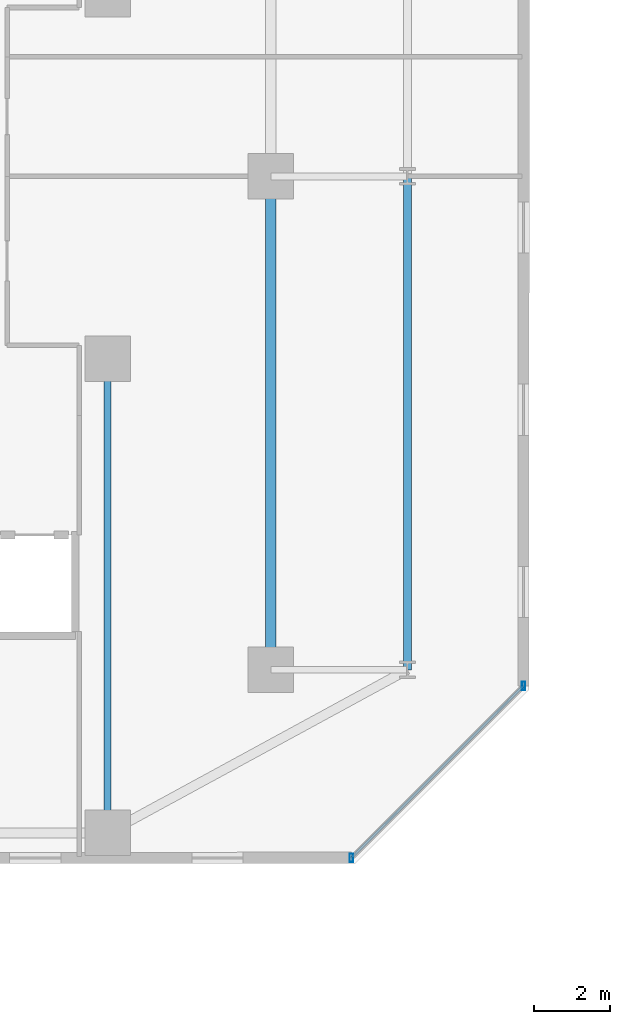
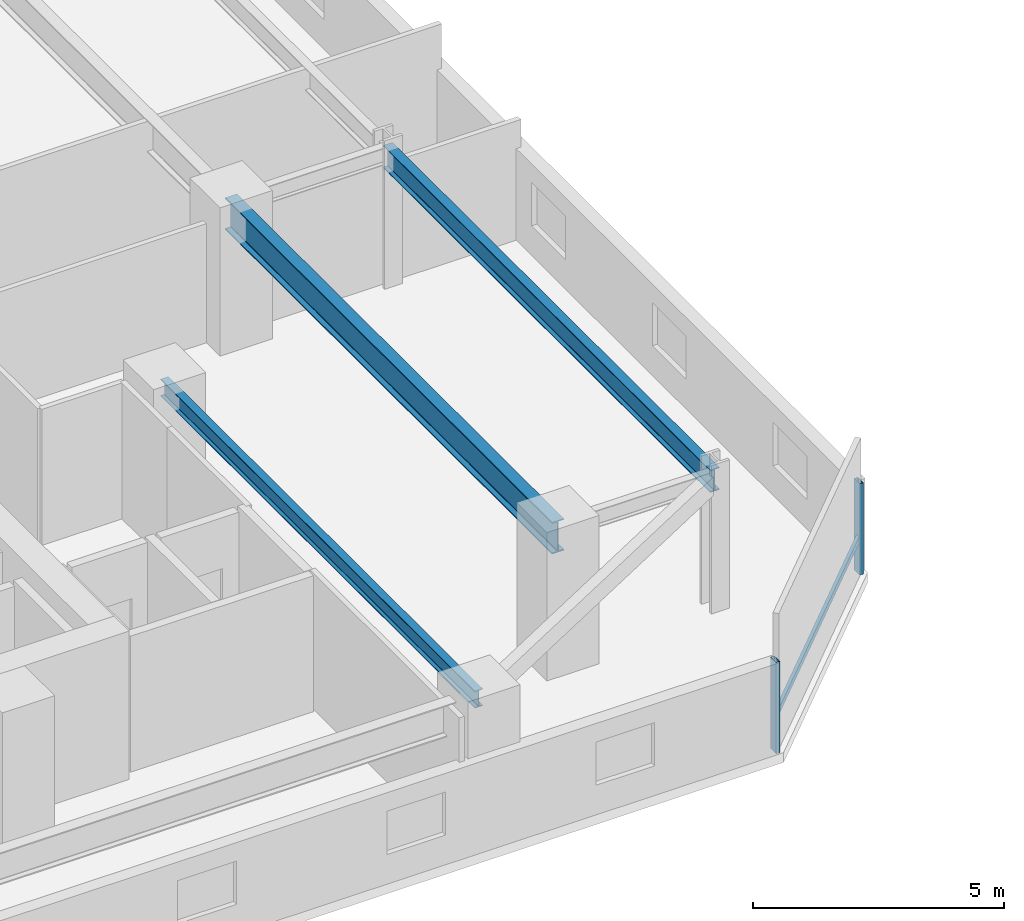
# One storey, part 5 of 36: 3 beams, 3 members, 1 element without a shape of its own.
"""IFC4 building model written with IfcOpenShell, lengths in metres."""

from ifc_helpers import new_model, si_unit, direction, frame, origin, origin_2d, place, context, subcontext, project, spatial, hollow_rectangle, i_section, extrude, material, material_profile, profile_set, type_object, element, aggregate, save


model = new_model("IFC4")

# Units and contexts
model_context = context("Model", 3, precision=1e-05, world=origin(), true_north=direction((0.0, 1.0)))
body_context = subcontext(model_context, "Body", "Model", "MODEL_VIEW")
ifc_project = project(units=[si_unit("LENGTHUNIT", "METRE"), si_unit("AREAUNIT", "SQUARE_METRE"), si_unit("VOLUMEUNIT", "CUBIC_METRE"), si_unit("PLANEANGLEUNIT", "RADIAN"), si_unit("MASSUNIT", "GRAM", prefix="KILO")], contexts=[model_context])

# Site, building, storey
site_placement = place(None, origin())
site = spatial("IfcSite", under=ifc_project, at=site_placement, CompositionType="ELEMENT")
building_placement = place(site_placement, origin())
building = spatial("IfcBuilding", under=site, at=building_placement, Name="Thornwick Lancets Civic Towers", CompositionType="ELEMENT")
storey_placement = place(building_placement, frame((0.0, 0.0, 94.5)))
storey = spatial("IfcBuildingStorey", under=building, at=storey_placement, Name="L24", CompositionType="ELEMENT", Elevation=94.5)

# Beams
ifc_material_1 = material(Name="Steel S355JR", Category="steel")
ifc_material_profile_1 = material_profile(ifc_material_1, i_section(OverallWidth=0.2119140625, OverallDepth=0.54443359375, WebThickness=0.0126953125, FlangeThickness=0.021240234375, FilletRadius=0.0126953125, at=origin_2d()), Name="UKB 533x210x122")
ifc_profile_set_1 = profile_set([ifc_material_profile_1], Name="Steel S355JR")
beam_type_1 = type_object("IfcBeamType", Name="BM_EDGE_533_122", PredefinedType="SPANDREL", material=ifc_profile_set_1)
beam_1_placement = place(storey_placement, frame((46.39990234375, 14.0, 3.047607421875), z_axis=(0.0, 1.0, 0.0), x_axis=(-1.0, 0.0, 0.0)))
element("IfcBeam", 1, at=beam_1_placement, inside=storey, type_object=beam_type_1, Name="BM-EDGE-L24-A-S1-1", PredefinedType="SPANDREL", context=body_context, shape_type="SweptSolid", body=[
    extrude(i_section(OverallWidth=0.2119140625, OverallDepth=0.54443359375, WebThickness=0.0126953125, FlangeThickness=0.021240234375, FilletRadius=0.0126953125, at=origin_2d()), origin(), (0.0, 0.0, 1.0), 13.0),
])
ifc_material_profile_2 = material_profile(ifc_material_1, i_section(OverallWidth=0.26806640625, OverallDepth=0.769775390625, WebThickness=0.015625, FlangeThickness=0.025390625, FilletRadius=0.0166015625, at=origin_2d()), Name="UKB 762x267x197")
ifc_profile_set_2 = profile_set([ifc_material_profile_2], Name="Steel S355JR")
beam_type_2 = type_object("IfcBeamType", Name="BM_GIRD_762_197", PredefinedType="BEAM", material=ifc_profile_set_2)
beam_2_placement = place(storey_placement, frame((42.800048828125, 14.0, 2.93505859375), z_axis=(0.0, 1.0, 0.0), x_axis=(-1.0, 0.0, 0.0)))
element("IfcBeam", 2, at=beam_2_placement, inside=storey, type_object=beam_type_2, Name="BM-SPINE-L24-A-3-4", PredefinedType="BEAM", context=body_context, shape_type="SweptSolid", body=[
    extrude(i_section(OverallWidth=0.26806640625, OverallDepth=0.769775390625, WebThickness=0.015625, FlangeThickness=0.025390625, FilletRadius=0.0166015625, at=origin_2d()), origin(), (0.0, 0.0, 1.0), 13.0),
])
ifc_material_profile_3 = material_profile(ifc_material_1, i_section(OverallWidth=0.179443359375, OverallDepth=0.412841796875, WebThickness=0.009521484375, FlangeThickness=0.01611328125, FilletRadius=0.01025390625, at=origin_2d()), Name="UKB 406x178x74")
ifc_profile_set_3 = profile_set([ifc_material_profile_3], Name="Steel S355JR")
beam_type_3 = type_object("IfcBeamType", Name="BM_JOIST_406_74", PredefinedType="JOIST", material=ifc_profile_set_3)
beam_3_placement = place(storey_placement, frame((38.5, 22.199951171875, 3.113525390625), z_axis=(0.0, -1.0, 0.0), x_axis=(1.0, 0.0, 0.0)))
element("IfcBeam", 3, at=beam_3_placement, inside=storey, type_object=beam_type_3, Name="BM-RADIN-L24-A03", PredefinedType="JOIST", context=body_context, shape_type="SweptSolid", body=[
    extrude(i_section(OverallWidth=0.179443359375, OverallDepth=0.412841796875, WebThickness=0.009521484375, FlangeThickness=0.01611328125, FilletRadius=0.01025390625, at=origin_2d()), origin(), (0.0, 0.0, 1.0), 12.5),
])

# Curtain wall, members
ifc_material_2 = material(Name="Low-zone chamfered-corner unitised glass curtain wall", Category="glass")
curtain_wall_type = type_object("IfcCurtainWallType", Name="CW_SYS_03", PredefinedType="NOTDEFINED", material=ifc_material_2)
curtain_wall_placement = place(storey_placement, origin())
curtain_wall = element("IfcCurtainWall", 4, at=curtain_wall_placement, inside=storey, type_object=curtain_wall_type, Name="L24 Curtain Wall CW-L24-A-E1", PredefinedType="NOTDEFINED")
ifc_material_3 = material(Name="Thermally broken bronze aluminium S355", Category="steel")
ifc_material_profile_4 = material_profile(ifc_material_3, hollow_rectangle(XDim=0.090087890625, YDim=0.219970703125, WallThickness=0.00634765625, at=origin_2d()), Name="RHS 220x90x6.3")
ifc_profile_set_4 = profile_set([ifc_material_profile_4], Name="Thermally broken bronze aluminium S355")
member_type_1 = type_object("IfcMemberType", Name="CW_MUL_220", PredefinedType="MULLION", material=ifc_profile_set_4)
member_1_placement = place(storey_placement, frame((44.925048828125, 9.041748046875, 0.0), z_axis=(0.0, 0.0, 1.0), x_axis=(1.0, 0.0, 0.0)))
member_1 = element("IfcMember", 5, at=member_1_placement, type_object=member_type_1, Name="CW-L24-A-E1 Mullion 0", PredefinedType="MULLION", context=body_context, shape_type="SweptSolid", body=[
    extrude(hollow_rectangle(XDim=0.090087890625, YDim=0.219970703125, WallThickness=0.00634765625, at=origin_2d()), origin(), (0.0, 0.0, 1.0), 2.219970703125),
])
member_2_placement = place(storey_placement, frame((49.458251953125, 13.574951171875, 0.0), z_axis=(0.0, 0.0, 1.0), x_axis=(1.0, 0.0, 0.0)))
member_2 = element("IfcMember", 6, at=member_2_placement, type_object=member_type_1, Name="CW-L24-A-E1 Mullion 1", PredefinedType="MULLION", context=body_context, shape_type="SweptSolid", body=[
    extrude(hollow_rectangle(XDim=0.090087890625, YDim=0.219970703125, WallThickness=0.00634765625, at=origin_2d()), origin(), (0.0, 0.0, 1.0), 2.219970703125),
])
ifc_material_profile_5 = material_profile(ifc_material_3, hollow_rectangle(XDim=0.074951171875, YDim=0.14990234375, WallThickness=0.0048828125, at=origin_2d()), Name="RHS 150x75x5")
ifc_profile_set_5 = profile_set([ifc_material_profile_5], Name="Thermally broken bronze aluminium S355")
member_type_2 = type_object("IfcMemberType", Name="CW_TRN_150", PredefinedType="USERDEFINED", material=ifc_profile_set_5)
member_3_placement = place(storey_placement, frame((44.939208984375, 9.055908203125, 0.85009765625), z_axis=(0.707106781187, 0.707106781187, 0.0), x_axis=(-0.707106781187, 0.707106781187, 0.0)))
member_3 = element("IfcMember", 7, at=member_3_placement, type_object=member_type_2, Name="CW-L24-A-E1 Transom 0", ObjectType="TRANSOM", PredefinedType="USERDEFINED", context=body_context, shape_type="SweptSolid", body=[
    extrude(hollow_rectangle(XDim=0.074951171875, YDim=0.14990234375, WallThickness=0.0048828125, at=origin_2d()), origin(), (0.0, 0.0, 1.0), 6.370849609375),
])
aggregate(curtain_wall, [member_1, member_2, member_3])

save(model, "model.ifc")
